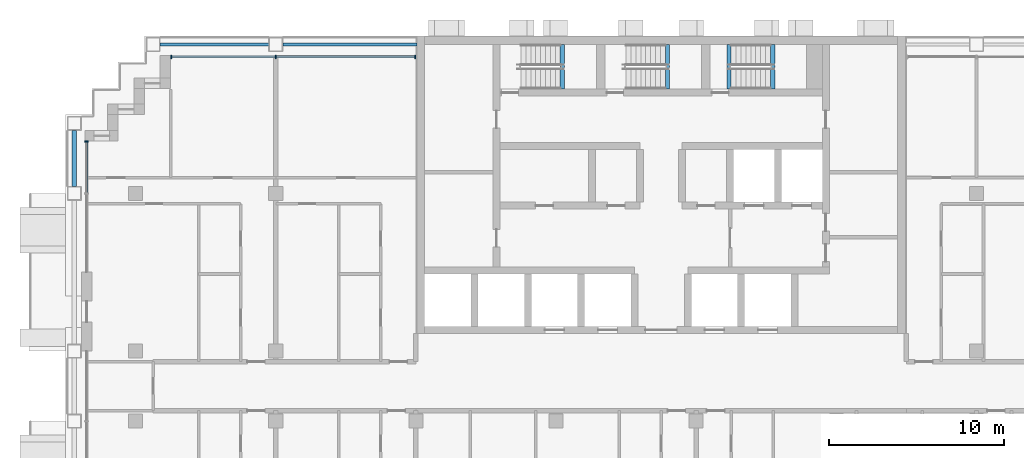
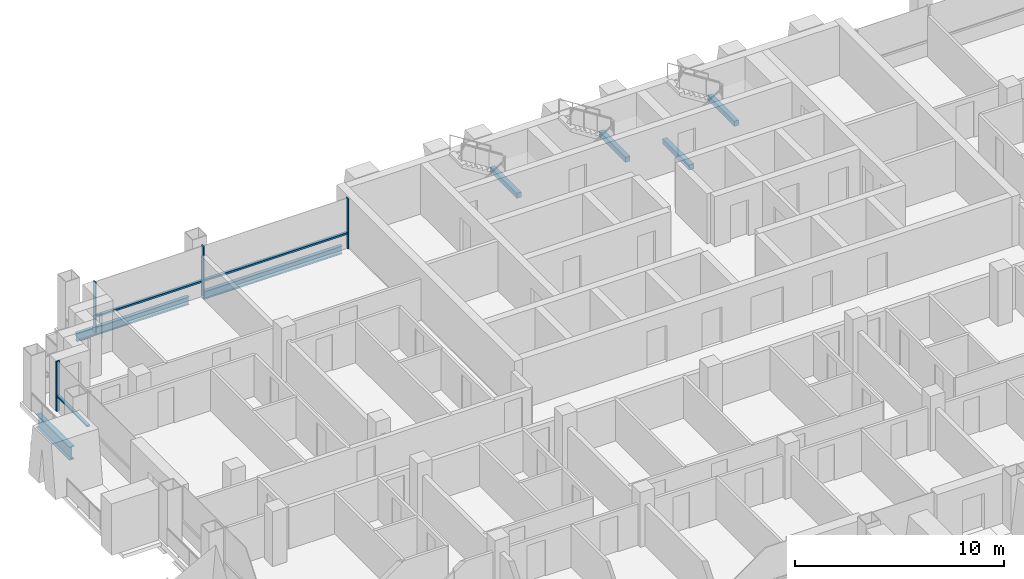
# One storey, part 4 of 18: 7 beams, 7 members, 2 elements without a shape of their own.
"""IFC4 building model written with IfcOpenShell, lengths in metres."""

import ifcopenshell
import ifcopenshell.guid

model = None  # the IFC model being written
_history = None  # IfcOwnerHistory: only IFC2X3 demands one
_inside = {}  # id of a spatial element -> (the spatial element, [elements in it])
_under = {}  # id of a project, library or spatial element -> (it, [spatial elements below it])
_declared = {}  # id of a project -> (the project, [libraries it declares])
_typed = {}  # id of a type object -> (the type object, [elements of that type])
_made_of = {}  # id of a material, layer set ... -> (it, [elements and type objects made of it])


def new_model(schema):
    """Start an empty IFC model of exactly this schema.

    Asked for "IFC4X3", IfcOpenShell would pick the latest addendum, in which some entities
    have other attributes; the version numbers below select the first issue.
    IFC2X3 requires an IfcOwnerHistory on every rooted entity: one is made here for all.
    """
    global model, _history
    if schema == "IFC4X3":
        model = ifcopenshell.file(schema_version=(4, 3, 0, 0))
    else:
        model = ifcopenshell.file(schema=schema)
    _inside.clear()
    _under.clear()
    _declared.clear()
    _typed.clear()
    _made_of.clear()
    _history = None
    if model.schema == "IFC2X3":
        org = make("IfcOrganization", Name="unknown")
        user = make(
            "IfcPersonAndOrganization",
            ThePerson=make("IfcPerson", FamilyName="unknown"),
            TheOrganization=org,
        )
        app = make(
            "IfcApplication",
            ApplicationDeveloper=org,
            Version="unknown",
            ApplicationFullName="unknown",
            ApplicationIdentifier="unknown",
        )
        _history = make(
            "IfcOwnerHistory",
            OwningUser=user,
            OwningApplication=app,
            ChangeAction="ADDED",
            CreationDate=0,
        )
    return model


def make(cls, **values):
    """One entity of the class cls with the attributes given. An attribute that is None is left unset."""
    return model.create_entity(
        cls, **{name: value for name, value in values.items() if value is not None}
    )


def rooted(cls, **values):
    """An entity with a GlobalId (a new one), such as an element, a storey or a relation."""
    return make(cls, GlobalId=ifcopenshell.guid.new(), OwnerHistory=_history, **values)


def si_unit(unit_type, name, prefix=None):
    """IfcSIUnit, for example si_unit("LENGTHUNIT", "METRE", prefix="MILLI")."""
    return make("IfcSIUnit", UnitType=unit_type, Prefix=prefix, Name=name)


def assignment(units):
    """IfcUnitAssignment: the units of a project."""
    return None if units is None else make("IfcUnitAssignment", Units=units)


def point(xyz):
    """IfcCartesianPoint."""
    return None if xyz is None else make("IfcCartesianPoint", Coordinates=xyz)


def direction(xyz):
    """IfcDirection."""
    return None if xyz is None else make("IfcDirection", DirectionRatios=xyz)


def frame(location, z_axis=None, x_axis=None):
    """IfcAxis2Placement3D, a coordinate frame: its origin and axes. An axis left out is left unset."""
    return make(
        "IfcAxis2Placement3D",
        Location=point(location),
        Axis=direction(z_axis),
        RefDirection=direction(x_axis),
    )


def frame_2d(location, x_axis=None):
    """IfcAxis2Placement2D, a coordinate frame in the plane: its origin and x axis."""
    return make(
        "IfcAxis2Placement2D", Location=point(location), RefDirection=direction(x_axis)
    )


def origin():
    """The frame at (0, 0, 0) with its axes left unset."""
    return frame((0.0, 0.0, 0.0))


def origin_2d():
    """The frame at (0, 0) in the plane with its x axis left unset."""
    return frame_2d((0.0, 0.0))


def place(relative_to, where):
    """IfcLocalPlacement: puts the frame where relative to a parent placement (None: the world)."""
    return make(
        "IfcLocalPlacement", PlacementRelTo=relative_to, RelativePlacement=where
    )


def context(
    kind, dimensions, precision=None, world=None, true_north=None, identifier=None
):
    """IfcGeometricRepresentationContext, for example the 3D "Model" context."""
    return make(
        "IfcGeometricRepresentationContext",
        ContextIdentifier=identifier,
        ContextType=kind,
        CoordinateSpaceDimension=dimensions,
        Precision=precision,
        WorldCoordinateSystem=world,
        TrueNorth=true_north,
    )


def subcontext(parent, identifier, kind, view, scale=None):
    """IfcGeometricRepresentationSubContext, for example "Body" below "Model"."""
    return make(
        "IfcGeometricRepresentationSubContext",
        ContextIdentifier=identifier,
        ContextType=kind,
        ParentContext=parent,
        TargetScale=scale,
        TargetView=view,
    )


def project(units=None, contexts=None):
    """IfcProject with its units and contexts."""
    return rooted(
        "IfcProject",
        Name="project",
        RepresentationContexts=contexts,
        UnitsInContext=assignment(units),
    )


def spatial(cls, under=None, at=None, **own):
    """A site, building, storey or space (cls), placed at a placement, below another one or the project."""
    s = rooted(cls, ObjectPlacement=at, **own)
    if under is not None:
        _under.setdefault(under.id(), (under, []))[1].append(s)
    return s


def profile(cls, at=None, kind="AREA", **sizes):
    """A parametric profile (cls). Its sizes go by their IFC names, for example OverallWidth=200.0."""
    return make(cls, ProfileType=kind, Position=at, **sizes)


def rectangle(**sizes):
    """IfcRectangleProfileDef."""
    return profile("IfcRectangleProfileDef", **sizes)


def i_section(**sizes):
    """IfcIShapeProfileDef."""
    return profile("IfcIShapeProfileDef", **sizes)


def extrude(swept, where, along, depth):
    """IfcExtrudedAreaSolid: the profile swept, set in the frame where, extruded along a direction by depth."""
    return make(
        "IfcExtrudedAreaSolid",
        SweptArea=swept,
        Position=where,
        ExtrudedDirection=direction(along),
        Depth=depth,
    )


def shape(context_of_items, identifier, shape_type, items):
    """IfcShapeRepresentation: the items that make up one representation, for example the "Body"."""
    return make(
        "IfcShapeRepresentation",
        ContextOfItems=context_of_items,
        RepresentationIdentifier=identifier,
        RepresentationType=shape_type,
        Items=items,
    )


def material(Name=None, Category=None):
    """IfcMaterial."""
    return make("IfcMaterial", Name=Name, Category=Category)


def material_profile(
    of_material, cross_section, Name=None, Category=None, Priority=None
):
    """IfcMaterialProfile: a cross section and its material."""
    return make(
        "IfcMaterialProfile",
        Name=Name,
        Material=of_material,
        Profile=cross_section,
        Priority=Priority,
        Category=Category,
    )


def profile_set(profiles, Name=None, composite=None):
    """IfcMaterialProfileSet."""
    return make(
        "IfcMaterialProfileSet",
        Name=Name,
        MaterialProfiles=profiles,
        CompositeProfile=composite,
    )


def made_of(thing, what):
    """Note that an element or type object is made of a material, layer set ...; save() writes the relation."""
    if what is not None:
        _made_of.setdefault(what.id(), (what, []))[1].append(thing)
    return thing


def type_object(cls, material=None, **own):
    """A type object (cls), such as IfcWallType, which elements share."""
    return made_of(rooted(cls, **own), material)


def element(
    cls,
    number,
    at=None,
    inside=None,
    cuts=None,
    type_object=None,
    material=None,
    context=None,
    identifier="Body",
    shape_type=None,
    held_by="IfcProductDefinitionShape",
    body=None,
    shapes=None,
    **own,
):
    """One element of the class cls, such as IfcWall. Its Tag is "e" and its number.

    at: its placement. inside: the storey or other place that contains it. cuts: it is an
    opening in that element (IfcRelVoidsElement). A single representation is given by context,
    identifier, shape_type and body (its items); several are given by shapes. held_by: the class
    of the entity that holds the representations. save() writes the other relations.
    """
    e = rooted(cls, Tag="e%d" % number, ObjectPlacement=at, **own)
    if body is not None:
        shapes = [shape(context, identifier, shape_type, body)]
    if shapes is not None:
        e.Representation = make(held_by, Representations=shapes)
    if inside is not None:
        _inside.setdefault(inside.id(), (inside, []))[1].append(e)
    if cuts is not None:
        rooted(
            "IfcRelVoidsElement", RelatingBuildingElement=cuts, RelatedOpeningElement=e
        )
    if type_object is not None:
        _typed.setdefault(type_object.id(), (type_object, []))[1].append(e)
    return made_of(e, material)


def aggregate(whole, parts):
    """IfcRelAggregates: a whole, such as a stair, and the parts it consists of."""
    return rooted("IfcRelAggregates", RelatingObject=whole, RelatedObjects=parts)


def save(model, path):
    """Write the relations noted so far, then the file.

    IfcRelAggregates (storeys below a building ...), IfcRelContainedInSpatialStructure (elements
    in a storey), IfcRelDefinesByType, IfcRelAssociatesMaterial and IfcRelDeclares: one each for
    every whole, place, type object, material and project.
    """
    for whole, parts in _under.values():
        aggregate(whole, parts)
    for where, things in _inside.values():
        rooted(
            "IfcRelContainedInSpatialStructure",
            RelatedElements=things,
            RelatingStructure=where,
        )
    for kind, things in _typed.values():
        rooted("IfcRelDefinesByType", RelatedObjects=things, RelatingType=kind)
    for what, things in _made_of.values():
        rooted("IfcRelAssociatesMaterial", RelatedObjects=things, RelatingMaterial=what)
    for by, libraries in _declared.values():
        rooted("IfcRelDeclares", RelatingContext=by, RelatedDefinitions=libraries)
    model.write(path)


model = new_model("IFC4")

# Units and contexts
model_context = context("Model", 3, precision=1e-05, world=origin(), true_north=direction((0.0, 1.0)))
body_context = subcontext(model_context, "Body", "Model", "MODEL_VIEW")
ifc_project = project(units=[si_unit("LENGTHUNIT", "METRE"), si_unit("AREAUNIT", "SQUARE_METRE"), si_unit("VOLUMEUNIT", "CUBIC_METRE"), si_unit("PLANEANGLEUNIT", "RADIAN"), si_unit("MASSUNIT", "GRAM", prefix="KILO")], contexts=[model_context])

# Site, building, storey
site_placement = place(None, origin())
site = spatial("IfcSite", under=ifc_project, at=site_placement, CompositionType="ELEMENT")
building_placement = place(site_placement, origin())
building = spatial("IfcBuilding", under=site, at=building_placement, Name="Vidyagriha Tower", CompositionType="ELEMENT")
storey_placement = place(building_placement, frame((0.0, 0.0, 126.199951171875)))
storey = spatial("IfcBuildingStorey", under=building, at=storey_placement, Name="L32", CompositionType="ELEMENT", Elevation=126.199951171875)

# Beams
ifc_material_1 = material(Name="Steel ASTM A992 Grade 50", Category="steel")
ifc_material_profile_1 = material_profile(ifc_material_1, i_section(OverallWidth=0.2666015625, OverallDepth=0.76953125, WebThickness=0.015625, FlangeThickness=0.025390625, at=origin_2d()), Name="W30X132")
ifc_profile_set_1 = profile_set([ifc_material_profile_1], Name="Steel ASTM A992 Grade 50")
beam_type_1 = type_object("IfcBeamType", Name="Cantilever edge beam W30X132", PredefinedType="SPANDREL", material=ifc_profile_set_1)
beam_1_placement = place(storey_placement, frame((-33.5, 11.39990234375, -0.664794921875), z_axis=(0.0, 1.0, 0.0), x_axis=(-1.0, 0.0, 0.0)))
element("IfcBeam", 1, at=beam_1_placement, inside=storey, type_object=beam_type_1, Name="st-beam-L32-W13", PredefinedType="SPANDREL", context=body_context, shape_type="SweptSolid", body=[
    extrude(i_section(OverallWidth=0.2666015625, OverallDepth=0.76953125, WebThickness=0.015625, FlangeThickness=0.025390625, at=origin_2d()), origin(), (0.0, 0.0, 1.0), 3.2001953125),
])
ifc_material_2 = material(Name="Steel ASTM A992 Grade 50", Category="steel")
ifc_material_profile_2 = material_profile(ifc_material_2, i_section(OverallWidth=0.19189453125, OverallDepth=0.46240234375, WebThickness=0.010498046875, FlangeThickness=0.017578125, at=origin_2d()), Name="W18X60")
ifc_profile_set_2 = profile_set([ifc_material_profile_2], Name="Steel ASTM A992 Grade 50")
beam_type_2 = type_object("IfcBeamType", Name="Edge beam W18X60", PredefinedType="SPANDREL", material=ifc_profile_set_2)
beam_2_placement = place(storey_placement, frame((-28.60009765625, 19.5, -0.510986328125), z_axis=(1.0, 0.0, 0.0), x_axis=(0.0, 1.0, 0.0)))
element("IfcBeam", 2, at=beam_2_placement, inside=storey, type_object=beam_type_2, Name="st-beam-L32-NW19", PredefinedType="SPANDREL", context=body_context, shape_type="SweptSolid", body=[
    extrude(i_section(OverallWidth=0.19189453125, OverallDepth=0.46240234375, WebThickness=0.010498046875, FlangeThickness=0.017578125, at=origin_2d()), origin(), (0.0, 0.0, 1.0), 6.2001953125),
])
beam_3_placement = place(storey_placement, frame((-21.60009765625, 19.5, -0.510986328125), z_axis=(1.0, 0.0, 0.0), x_axis=(0.0, 1.0, 0.0)))
element("IfcBeam", 3, at=beam_3_placement, inside=storey, type_object=beam_type_2, Name="st-beam-L32-NC22", PredefinedType="SPANDREL", context=body_context, shape_type="SweptSolid", body=[
    extrude(i_section(OverallWidth=0.19189453125, OverallDepth=0.46240234375, WebThickness=0.010498046875, FlangeThickness=0.017578125, at=origin_2d()), origin(), (0.0, 0.0, 1.0), 7.650146484375),
])

# Curtain wall, members
ifc_material_3 = material(Name="Aluminium and glass curtain wall", Category="aluminium")
curtain_wall_type = type_object("IfcCurtainWallType", Name="Dwelling skin unitised curtain wall", PredefinedType="USERDEFINED", material=ifc_material_3)
curtain_wall_1_placement = place(storey_placement, origin())
curtain_wall_1 = element("IfcCurtainWall", 4, at=curtain_wall_1_placement, inside=storey, type_object=curtain_wall_type, Name="CW1 dwelling skin", ObjectType="UNITISED", PredefinedType="USERDEFINED")
ifc_material_4 = material(Name="Aluminium black anodised", Category="aluminium")
ifc_material_profile_3 = material_profile(ifc_material_4, rectangle(XDim=0.199951171875, YDim=0.070068359375, at=origin_2d()), Name="Mullion 70x200 black aluminium")
ifc_profile_set_3 = profile_set([ifc_material_profile_3], Name="Aluminium black anodised")
member_type_1 = type_object("IfcMemberType", Name="Mullion 70x200 black aluminium", PredefinedType="MULLION", material=ifc_profile_set_3)
member_1_placement = place(storey_placement, frame((-14.034912109375, 18.800048828125, 0.0), z_axis=(0.0, 0.0, 1.0), x_axis=(0.0, -1.0, 0.0)))
member_1 = element("IfcMember", 5, at=member_1_placement, type_object=member_type_1, Name="CW1 mullion 1", PredefinedType="MULLION", context=body_context, shape_type="SweptSolid", body=[
    extrude(rectangle(XDim=0.199951171875, YDim=0.070068359375, at=origin_2d()), origin(), (0.0, 0.0, 1.0), 2.920166015625),
])
member_2_placement = place(storey_placement, frame((-22.0, 18.800048828125, 0.0), z_axis=(0.0, 0.0, 1.0), x_axis=(0.0, -1.0, 0.0)))
member_2 = element("IfcMember", 6, at=member_2_placement, type_object=member_type_1, Name="CW1 mullion 2", PredefinedType="MULLION", context=body_context, shape_type="SweptSolid", body=[
    extrude(rectangle(XDim=0.199951171875, YDim=0.070068359375, at=origin_2d()), origin(), (0.0, 0.0, 1.0), 2.920166015625),
])
member_3_placement = place(storey_placement, frame((-27.965087890625, 18.800048828125, 0.0), z_axis=(0.0, 0.0, 1.0), x_axis=(0.0, -1.0, 0.0)))
member_3 = element("IfcMember", 7, at=member_3_placement, type_object=member_type_1, Name="CW1 mullion 3", PredefinedType="MULLION", context=body_context, shape_type="SweptSolid", body=[
    extrude(rectangle(XDim=0.199951171875, YDim=0.070068359375, at=origin_2d()), origin(), (0.0, 0.0, 1.0), 2.920166015625),
])

# Curtain wall, member
curtain_wall_2_placement = place(storey_placement, origin())
curtain_wall_2 = element("IfcCurtainWall", 8, at=curtain_wall_2_placement, inside=storey, type_object=curtain_wall_type, Name="CW1 dwelling skin", ObjectType="UNITISED", PredefinedType="USERDEFINED")
member_4_placement = place(storey_placement, frame((-32.800048828125, 13.965087890625, 0.0)))
member_4 = element("IfcMember", 9, at=member_4_placement, type_object=member_type_1, Name="CW1 mullion 1", PredefinedType="MULLION", context=body_context, shape_type="SweptSolid", body=[
    extrude(rectangle(XDim=0.199951171875, YDim=0.070068359375, at=origin_2d()), origin(), (0.0, 0.0, 1.0), 2.920166015625),
])

# Beams
ifc_material_5 = material(Name="Concrete C40/50", Category="concrete")
ifc_material_profile_4 = material_profile(ifc_material_5, rectangle(XDim=0.25, YDim=0.300048828125, at=origin_2d()), Name="Stair landing bearing beam 250x300")
ifc_profile_set_4 = profile_set([ifc_material_profile_4], Name="Concrete C40/50")
beam_type_3 = type_object("IfcBeamType", Name="Stair landing bearing beam 250x300", PredefinedType="BEAM", material=ifc_profile_set_4)
for number, where, z_axis, x_axis, name in (
    (10, (3.875, 16.949951171875, -0.429931640625), (0.0, 1.0, 0.0), (-1.0, 0.0, 0.0), "ST3 floor landing bearing beam L32"),
    (11, (-5.635009765625, 16.949951171875, 1.25), (0.0, 1.0, 0.0), (-1.0, 0.0, 0.0), "ST1 landing bearing beam L32"),
    (12, (0.364990234375, 16.949951171875, 1.25), (0.0, 1.0, 0.0), (-1.0, 0.0, 0.0), "ST2 landing bearing beam L32"),
    (13, (6.364990234375, 16.949951171875, 1.25), (0.0, 1.0, 0.0), (-1.0, 0.0, 0.0), "ST3 landing bearing beam L32"),
):
    element("IfcBeam", number, at=place(storey_placement, frame(where, z_axis=z_axis, x_axis=x_axis)), inside=storey, type_object=beam_type_3, Name=name, PredefinedType="BEAM", context=body_context, shape_type="SweptSolid", body=[
        extrude(rectangle(XDim=0.25, YDim=0.300048828125, at=origin_2d()), origin(), (0.0, 0.0, 1.0), 2.550048828125),
    ])

# Member
ifc_material_6 = material(Name="Aluminium black anodised", Category="aluminium")
ifc_material_profile_5 = material_profile(ifc_material_6, rectangle(XDim=0.159912109375, YDim=0.10009765625, at=origin_2d()), Name="Transom 100x160 black aluminium")
ifc_profile_set_5 = profile_set([ifc_material_profile_5], Name="Aluminium black anodised")
member_type_2 = type_object("IfcMemberType", Name="Transom 100x160 black aluminium", PredefinedType="USERDEFINED", material=ifc_profile_set_5)
member_5_placement = place(storey_placement, frame((-14.070068359375, 18.800048828125, 0.900146484375), z_axis=(-1.0, 0.0, 0.0), x_axis=(0.0, -1.0, 0.0)))
member_5 = element("IfcMember", 14, at=member_5_placement, type_object=member_type_2, Name="CW1 transom 1.1", ObjectType="TRANSOM", PredefinedType="USERDEFINED", context=body_context, shape_type="SweptSolid", body=[
    extrude(rectangle(XDim=0.159912109375, YDim=0.10009765625, at=origin_2d()), origin(), (0.0, 0.0, 1.0), 7.89501953125),
])

member_6_placement = place(storey_placement, frame((-22.034912109375, 18.800048828125, 0.900146484375), z_axis=(-1.0, 0.0, 0.0), x_axis=(0.0, -1.0, 0.0)))
member_6 = element("IfcMember", 15, at=member_6_placement, type_object=member_type_2, Name="CW1 transom 2.1", ObjectType="TRANSOM", PredefinedType="USERDEFINED", context=body_context, shape_type="SweptSolid", body=[
    extrude(rectangle(XDim=0.159912109375, YDim=0.10009765625, at=origin_2d()), origin(), (0.0, 0.0, 1.0), 5.89501953125),
])

aggregate(curtain_wall_1, [member_1, member_2, member_3, member_5, member_6])

member_7_placement = place(storey_placement, frame((-32.800048828125, 13.929931640625, 0.900146484375), z_axis=(0.0, -1.0, 0.0), x_axis=(1.0, 0.0, 0.0)))
member_7 = element("IfcMember", 16, at=member_7_placement, type_object=member_type_2, Name="CW1 transom 1.1", ObjectType="TRANSOM", PredefinedType="USERDEFINED", context=body_context, shape_type="SweptSolid", body=[
    extrude(rectangle(XDim=0.159912109375, YDim=0.10009765625, at=origin_2d()), origin(), (0.0, 0.0, 1.0), 2.89501953125),
])

aggregate(curtain_wall_2, [member_4, member_7])

save(model, "model.ifc")
